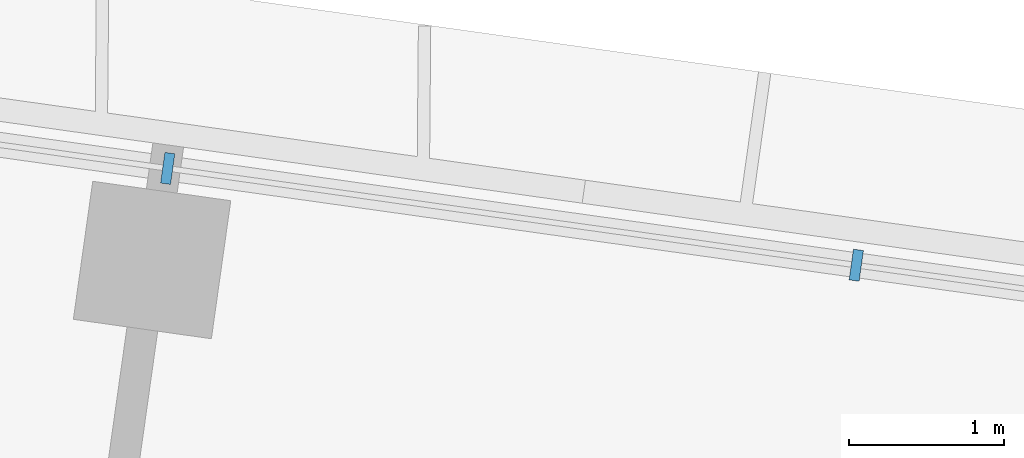
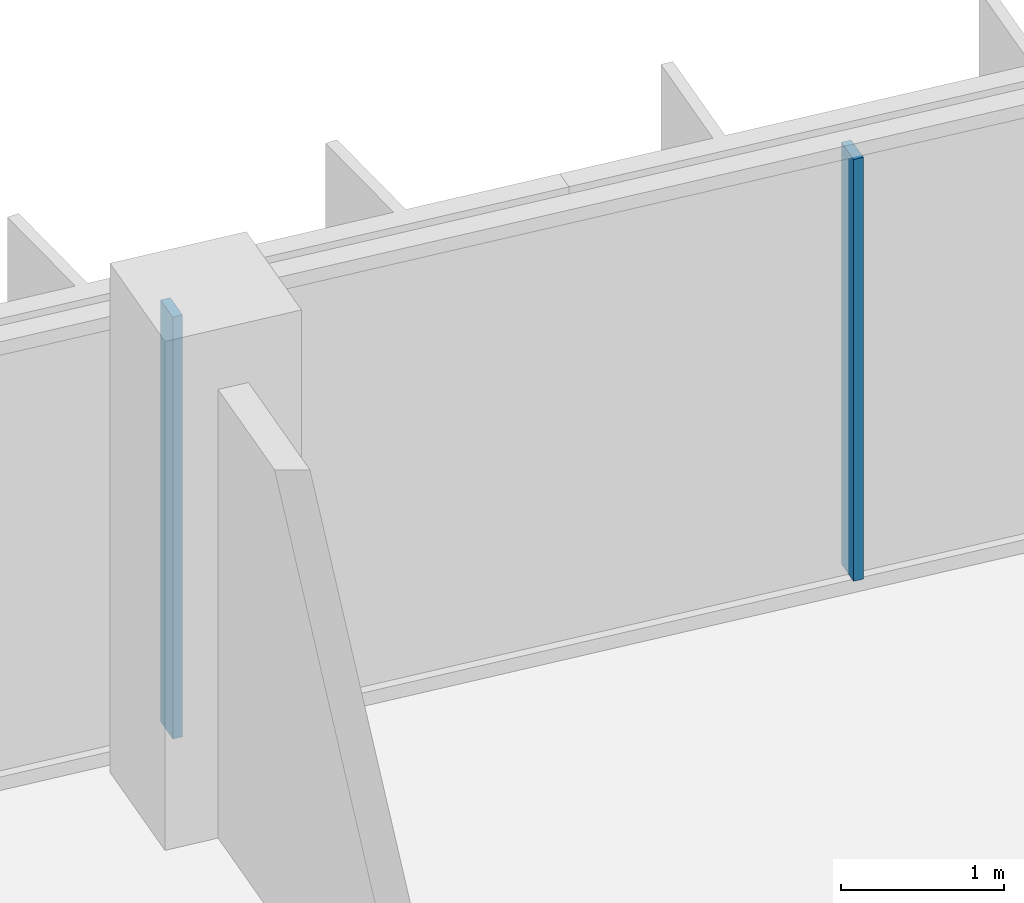
# One storey, part 3 of 24: 2 members, 1 element without a shape of its own.
"""IFC4 building model written with IfcOpenShell, lengths in metres."""

from ifc_helpers import new_model, si_unit, direction, frame, origin, origin_2d, place, context, subcontext, project, spatial, rectangle, extrude, material, material_profile, profile_set, type_object, element, aggregate, save


model = new_model("IFC4")

# Units and contexts
model_context = context("Model", 3, precision=1e-05, world=origin(), true_north=direction((0.0, 1.0)))
body_context = subcontext(model_context, "Body", "Model", "MODEL_VIEW")
ifc_project = project(units=[si_unit("LENGTHUNIT", "METRE"), si_unit("AREAUNIT", "SQUARE_METRE"), si_unit("VOLUMEUNIT", "CUBIC_METRE"), si_unit("PLANEANGLEUNIT", "RADIAN"), si_unit("MASSUNIT", "GRAM", prefix="KILO")], contexts=[model_context])

# Site, building, storey
site_placement = place(None, origin())
site = spatial("IfcSite", under=ifc_project, at=site_placement, CompositionType="ELEMENT")
building_placement = place(site_placement, origin())
building = spatial("IfcBuilding", under=site, at=building_placement, Name="Mirante Cascada Hotel Towers", CompositionType="ELEMENT")
storey_placement = place(building_placement, frame((0.0, 0.0, 132.9)))
storey = spatial("IfcBuildingStorey", under=building, at=storey_placement, Name="L30", CompositionType="ELEMENT", Elevation=132.9)

# Curtain wall, members
ifc_material_1 = material(Name="Aluminium mullion and transom frame with clear laminated glass", Category="aluminium")
curtain_wall_type = type_object("IfcCurtainWallType", Name="Ribbon curtain wall ECW1", PredefinedType="NOTDEFINED", material=ifc_material_1)
curtain_wall_placement = place(storey_placement, origin())
curtain_wall = element("IfcCurtainWall", 1, at=curtain_wall_placement, inside=storey, type_object=curtain_wall_type, Name="Front ribbon wall T1 L30", PredefinedType="NOTDEFINED")
ifc_material_2 = material(Name="Anodised aluminium extrusion", Category="aluminium")
ifc_material_profile = material_profile(ifc_material_2, rectangle(XDim=0.2, YDim=0.065, at=origin_2d()), Name="ECW1 MULLION 65x200")
ifc_profile_set = profile_set([ifc_material_profile], Name="Anodised aluminium extrusion")
member_type = type_object("IfcMemberType", Name="ECW1 mullion 65x200", PredefinedType="MULLION", material=ifc_profile_set)
member_1_placement = place(storey_placement, frame((-71.9211, 22.9269, 0.1), z_axis=(0.0, 0.0, 1.0), x_axis=(0.1391731, 0.9902681, 0.0)))
member_1 = element("IfcMember", 2, at=member_1_placement, type_object=member_type, Name="ECW1 mullion 6", PredefinedType="MULLION", context=body_context, shape_type="SweptSolid", body=[
    extrude(rectangle(XDim=0.2, YDim=0.065, at=origin_2d()), origin(), (0.0, 0.0, 1.0), 3.15),
])
member_2_placement = place(storey_placement, frame((-67.4737, 22.3018, 0.1), z_axis=(0.0, 0.0, 1.0), x_axis=(0.1391731, 0.9902681, 0.0)))
member_2 = element("IfcMember", 3, at=member_2_placement, type_object=member_type, Name="ECW1 mullion 7", PredefinedType="MULLION", context=body_context, shape_type="SweptSolid", body=[
    extrude(rectangle(XDim=0.2, YDim=0.065, at=origin_2d()), origin(), (0.0, 0.0, 1.0), 3.15),
])
aggregate(curtain_wall, [member_1, member_2])

save(model, "model.ifc")
